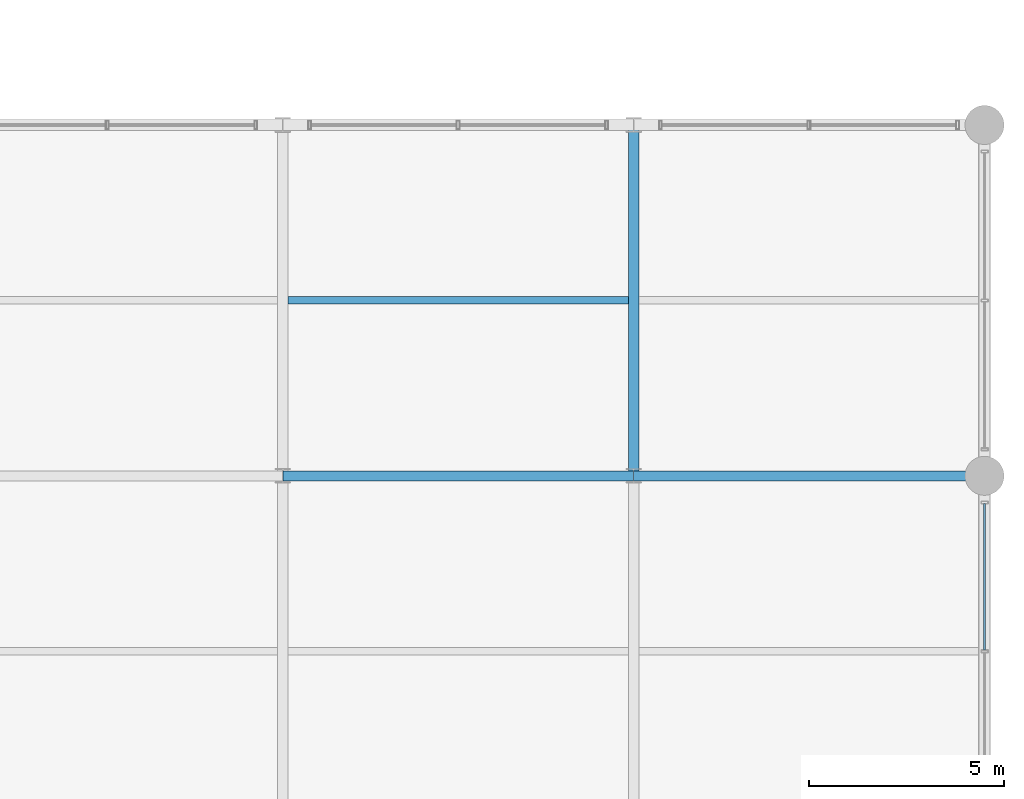
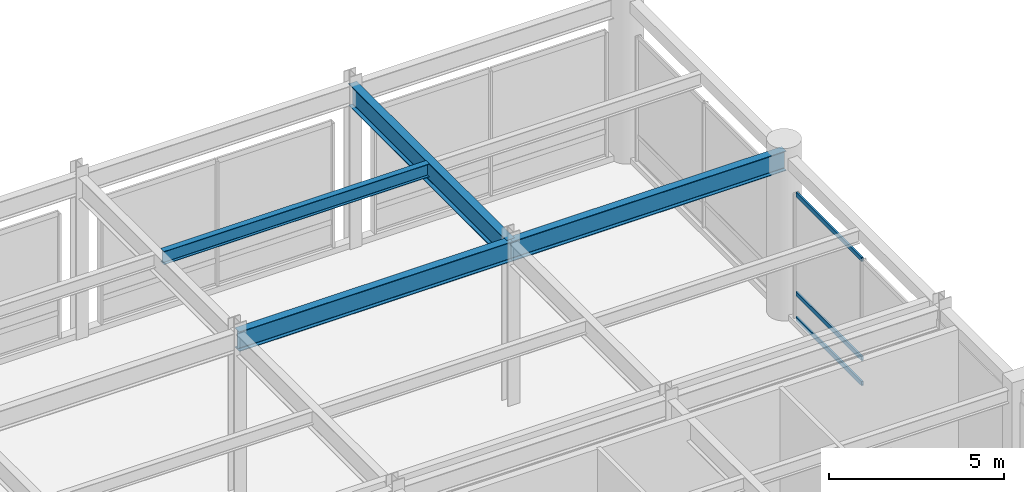
# One storey, part 57 of 108: 4 beams, 3 members, 1 element without a shape of its own.
"""IFC4 building model written with IfcOpenShell, lengths in metres."""

import ifcopenshell
import ifcopenshell.guid

model = None  # the IFC model being written
_history = None  # IfcOwnerHistory: only IFC2X3 demands one
_inside = {}  # id of a spatial element -> (the spatial element, [elements in it])
_under = {}  # id of a project, library or spatial element -> (it, [spatial elements below it])
_declared = {}  # id of a project -> (the project, [libraries it declares])
_typed = {}  # id of a type object -> (the type object, [elements of that type])
_made_of = {}  # id of a material, layer set ... -> (it, [elements and type objects made of it])


def new_model(schema):
    """Start an empty IFC model of exactly this schema.

    Asked for "IFC4X3", IfcOpenShell would pick the latest addendum, in which some entities
    have other attributes; the version numbers below select the first issue.
    IFC2X3 requires an IfcOwnerHistory on every rooted entity: one is made here for all.
    """
    global model, _history
    if schema == "IFC4X3":
        model = ifcopenshell.file(schema_version=(4, 3, 0, 0))
    else:
        model = ifcopenshell.file(schema=schema)
    _inside.clear()
    _under.clear()
    _declared.clear()
    _typed.clear()
    _made_of.clear()
    _history = None
    if model.schema == "IFC2X3":
        org = make("IfcOrganization", Name="unknown")
        user = make(
            "IfcPersonAndOrganization",
            ThePerson=make("IfcPerson", FamilyName="unknown"),
            TheOrganization=org,
        )
        app = make(
            "IfcApplication",
            ApplicationDeveloper=org,
            Version="unknown",
            ApplicationFullName="unknown",
            ApplicationIdentifier="unknown",
        )
        _history = make(
            "IfcOwnerHistory",
            OwningUser=user,
            OwningApplication=app,
            ChangeAction="ADDED",
            CreationDate=0,
        )
    return model


def make(cls, **values):
    """One entity of the class cls with the attributes given. An attribute that is None is left unset."""
    return model.create_entity(
        cls, **{name: value for name, value in values.items() if value is not None}
    )


def rooted(cls, **values):
    """An entity with a GlobalId (a new one), such as an element, a storey or a relation."""
    return make(cls, GlobalId=ifcopenshell.guid.new(), OwnerHistory=_history, **values)


def si_unit(unit_type, name, prefix=None):
    """IfcSIUnit, for example si_unit("LENGTHUNIT", "METRE", prefix="MILLI")."""
    return make("IfcSIUnit", UnitType=unit_type, Prefix=prefix, Name=name)


def assignment(units):
    """IfcUnitAssignment: the units of a project."""
    return None if units is None else make("IfcUnitAssignment", Units=units)


def point(xyz):
    """IfcCartesianPoint."""
    return None if xyz is None else make("IfcCartesianPoint", Coordinates=xyz)


def direction(xyz):
    """IfcDirection."""
    return None if xyz is None else make("IfcDirection", DirectionRatios=xyz)


def frame(location, z_axis=None, x_axis=None):
    """IfcAxis2Placement3D, a coordinate frame: its origin and axes. An axis left out is left unset."""
    return make(
        "IfcAxis2Placement3D",
        Location=point(location),
        Axis=direction(z_axis),
        RefDirection=direction(x_axis),
    )


def frame_2d(location, x_axis=None):
    """IfcAxis2Placement2D, a coordinate frame in the plane: its origin and x axis."""
    return make(
        "IfcAxis2Placement2D", Location=point(location), RefDirection=direction(x_axis)
    )


def origin():
    """The frame at (0, 0, 0) with its axes left unset."""
    return frame((0.0, 0.0, 0.0))


def origin_2d():
    """The frame at (0, 0) in the plane with its x axis left unset."""
    return frame_2d((0.0, 0.0))


def place(relative_to, where):
    """IfcLocalPlacement: puts the frame where relative to a parent placement (None: the world)."""
    return make(
        "IfcLocalPlacement", PlacementRelTo=relative_to, RelativePlacement=where
    )


def context(
    kind, dimensions, precision=None, world=None, true_north=None, identifier=None
):
    """IfcGeometricRepresentationContext, for example the 3D "Model" context."""
    return make(
        "IfcGeometricRepresentationContext",
        ContextIdentifier=identifier,
        ContextType=kind,
        CoordinateSpaceDimension=dimensions,
        Precision=precision,
        WorldCoordinateSystem=world,
        TrueNorth=true_north,
    )


def subcontext(parent, identifier, kind, view, scale=None):
    """IfcGeometricRepresentationSubContext, for example "Body" below "Model"."""
    return make(
        "IfcGeometricRepresentationSubContext",
        ContextIdentifier=identifier,
        ContextType=kind,
        ParentContext=parent,
        TargetScale=scale,
        TargetView=view,
    )


def project(units=None, contexts=None):
    """IfcProject with its units and contexts."""
    return rooted(
        "IfcProject",
        Name="project",
        RepresentationContexts=contexts,
        UnitsInContext=assignment(units),
    )


def spatial(cls, under=None, at=None, **own):
    """A site, building, storey or space (cls), placed at a placement, below another one or the project."""
    s = rooted(cls, ObjectPlacement=at, **own)
    if under is not None:
        _under.setdefault(under.id(), (under, []))[1].append(s)
    return s


def profile(cls, at=None, kind="AREA", **sizes):
    """A parametric profile (cls). Its sizes go by their IFC names, for example OverallWidth=200.0."""
    return make(cls, ProfileType=kind, Position=at, **sizes)


def hollow_rectangle(**sizes):
    """IfcRectangleHollowProfileDef."""
    return profile("IfcRectangleHollowProfileDef", **sizes)


def i_section(**sizes):
    """IfcIShapeProfileDef."""
    return profile("IfcIShapeProfileDef", **sizes)


def extrude(swept, where, along, depth):
    """IfcExtrudedAreaSolid: the profile swept, set in the frame where, extruded along a direction by depth."""
    return make(
        "IfcExtrudedAreaSolid",
        SweptArea=swept,
        Position=where,
        ExtrudedDirection=direction(along),
        Depth=depth,
    )


def shape(context_of_items, identifier, shape_type, items):
    """IfcShapeRepresentation: the items that make up one representation, for example the "Body"."""
    return make(
        "IfcShapeRepresentation",
        ContextOfItems=context_of_items,
        RepresentationIdentifier=identifier,
        RepresentationType=shape_type,
        Items=items,
    )


def material(Name=None, Category=None):
    """IfcMaterial."""
    return make("IfcMaterial", Name=Name, Category=Category)


def material_profile(
    of_material, cross_section, Name=None, Category=None, Priority=None
):
    """IfcMaterialProfile: a cross section and its material."""
    return make(
        "IfcMaterialProfile",
        Name=Name,
        Material=of_material,
        Profile=cross_section,
        Priority=Priority,
        Category=Category,
    )


def profile_set(profiles, Name=None, composite=None):
    """IfcMaterialProfileSet."""
    return make(
        "IfcMaterialProfileSet",
        Name=Name,
        MaterialProfiles=profiles,
        CompositeProfile=composite,
    )


def made_of(thing, what):
    """Note that an element or type object is made of a material, layer set ...; save() writes the relation."""
    if what is not None:
        _made_of.setdefault(what.id(), (what, []))[1].append(thing)
    return thing


def type_object(cls, material=None, **own):
    """A type object (cls), such as IfcWallType, which elements share."""
    return made_of(rooted(cls, **own), material)


def element(
    cls,
    number,
    at=None,
    inside=None,
    cuts=None,
    type_object=None,
    material=None,
    context=None,
    identifier="Body",
    shape_type=None,
    held_by="IfcProductDefinitionShape",
    body=None,
    shapes=None,
    **own,
):
    """One element of the class cls, such as IfcWall. Its Tag is "e" and its number.

    at: its placement. inside: the storey or other place that contains it. cuts: it is an
    opening in that element (IfcRelVoidsElement). A single representation is given by context,
    identifier, shape_type and body (its items); several are given by shapes. held_by: the class
    of the entity that holds the representations. save() writes the other relations.
    """
    e = rooted(cls, Tag="e%d" % number, ObjectPlacement=at, **own)
    if body is not None:
        shapes = [shape(context, identifier, shape_type, body)]
    if shapes is not None:
        e.Representation = make(held_by, Representations=shapes)
    if inside is not None:
        _inside.setdefault(inside.id(), (inside, []))[1].append(e)
    if cuts is not None:
        rooted(
            "IfcRelVoidsElement", RelatingBuildingElement=cuts, RelatedOpeningElement=e
        )
    if type_object is not None:
        _typed.setdefault(type_object.id(), (type_object, []))[1].append(e)
    return made_of(e, material)


def aggregate(whole, parts):
    """IfcRelAggregates: a whole, such as a stair, and the parts it consists of."""
    return rooted("IfcRelAggregates", RelatingObject=whole, RelatedObjects=parts)


def save(model, path):
    """Write the relations noted so far, then the file.

    IfcRelAggregates (storeys below a building ...), IfcRelContainedInSpatialStructure (elements
    in a storey), IfcRelDefinesByType, IfcRelAssociatesMaterial and IfcRelDeclares: one each for
    every whole, place, type object, material and project.
    """
    for whole, parts in _under.values():
        aggregate(whole, parts)
    for where, things in _inside.values():
        rooted(
            "IfcRelContainedInSpatialStructure",
            RelatedElements=things,
            RelatingStructure=where,
        )
    for kind, things in _typed.values():
        rooted("IfcRelDefinesByType", RelatedObjects=things, RelatingType=kind)
    for what, things in _made_of.values():
        rooted("IfcRelAssociatesMaterial", RelatedObjects=things, RelatingMaterial=what)
    for by, libraries in _declared.values():
        rooted("IfcRelDeclares", RelatingContext=by, RelatedDefinitions=libraries)
    model.write(path)


model = new_model("IFC4")

# Units and contexts
model_context = context("Model", 3, precision=1e-05, world=origin(), true_north=direction((0.0, 1.0)))
body_context = subcontext(model_context, "Body", "Model", "MODEL_VIEW")
ifc_project = project(units=[si_unit("LENGTHUNIT", "METRE"), si_unit("AREAUNIT", "SQUARE_METRE"), si_unit("VOLUMEUNIT", "CUBIC_METRE"), si_unit("PLANEANGLEUNIT", "RADIAN"), si_unit("MASSUNIT", "GRAM", prefix="KILO")], contexts=[model_context])

# Site, building, storey
site_placement = place(None, origin())
site = spatial("IfcSite", under=ifc_project, at=site_placement, CompositionType="ELEMENT")
building_placement = place(site_placement, origin())
building = spatial("IfcBuilding", under=site, at=building_placement, Name="Kaldorvane Square Convention Centre", CompositionType="ELEMENT")
storey_placement = place(building_placement, frame((0.0, 0.0, 12.0)))
storey = spatial("IfcBuildingStorey", under=building, at=storey_placement, Name="L02", CompositionType="ELEMENT", Elevation=12.0)

# Beams
ifc_material_1 = material(Name="Steel ASTM A992 Gr. 50", Category="steel")
ifc_material_profile_1 = material_profile(ifc_material_1, i_section(OverallWidth=0.25439453125, OverallDepth=0.6880950927734375, WebThickness=0.0131072998046875, FlangeThickness=0.0211029052734375, FilletRadius=0.01519775390625, at=origin_2d()), Name="W27X102")
ifc_profile_set_1 = profile_set([ifc_material_profile_1], Name="Steel ASTM A992 Gr. 50")
beam_type_1 = type_object("IfcBeamType", Name="BM-GR-W27X102", PredefinedType="BEAM", material=ifc_profile_set_1)
for number, where, z_axis, x_axis, name in (
    (1, (156.0, 27.0, 5.3018951416015625), (1.0, 0.0, 0.0), (0.0, 1.0, 0.0), "Primary Girder (L02)"),
    (2, (165.0, 27.0, 5.3018951416015625), (1.0, 0.0, 0.0), (0.0, 1.0, 0.0), "Primary Girder (L02)"),
):
    element("IfcBeam", number, at=place(storey_placement, frame(where, z_axis=z_axis, x_axis=x_axis)), inside=storey, type_object=beam_type_1, Name=name, PredefinedType="BEAM", context=body_context, shape_type="SweptSolid", body=[
        extrude(i_section(OverallWidth=0.25439453125, OverallDepth=0.6880950927734375, WebThickness=0.0131072998046875, FlangeThickness=0.0211029052734375, FilletRadius=0.01519775390625, at=origin_2d()), origin(), (0.0, 0.0, 1.0), 9.0),
    ])
ifc_material_profile_2 = material_profile(ifc_material_1, i_section(OverallWidth=0.2666015625, OverallDepth=0.762298583984375, WebThickness=0.014404296875, FlangeThickness=0.0216064453125, FilletRadius=0.0164947509765625, at=origin_2d()), Name="W30X116")
ifc_profile_set_2 = profile_set([ifc_material_profile_2], Name="Steel ASTM A992 Gr. 50")
beam_type_2 = type_object("IfcBeamType", Name="BM-GR-W30X116", PredefinedType="BEAM", material=ifc_profile_set_2)
beam_1_placement = place(storey_placement, frame((165.0, 27.0, 5.264801025390625), z_axis=(0.0, 1.0, 0.0), x_axis=(-1.0, 0.0, 0.0)))
element("IfcBeam", 3, at=beam_1_placement, inside=storey, type_object=beam_type_2, Name="Transverse Girder (L02)", PredefinedType="BEAM", context=body_context, shape_type="SweptSolid", body=[
    extrude(i_section(OverallWidth=0.2666015625, OverallDepth=0.762298583984375, WebThickness=0.014404296875, FlangeThickness=0.0216064453125, FilletRadius=0.0164947509765625, at=origin_2d()), origin(), (0.0, 0.0, 1.0), 9.0),
])
ifc_material_profile_3 = material_profile(ifc_material_1, i_section(OverallWidth=0.1912994384765625, OverallDepth=0.4600067138671875, WebThickness=0.0099029541015625, FlangeThickness=0.0160064697265625, FilletRadius=0.01019287109375, at=origin_2d()), Name="W18X55")
ifc_profile_set_3 = profile_set([ifc_material_profile_3], Name="Steel ASTM A992 Gr. 50")
beam_type_3 = type_object("IfcBeamType", Name="BM-JS-W18X55", PredefinedType="JOIST", material=ifc_profile_set_3)
beam_2_placement = place(storey_placement, frame((156.13330078125, 31.5, 5.4160003662109375), z_axis=(1.0, 0.0, 0.0), x_axis=(0.0, 1.0, 0.0)))
element("IfcBeam", 4, at=beam_2_placement, inside=storey, type_object=beam_type_3, Name="Secondary Floor Joist (L02)", PredefinedType="JOIST", context=body_context, shape_type="SweptSolid", body=[
    extrude(i_section(OverallWidth=0.1912994384765625, OverallDepth=0.4600067138671875, WebThickness=0.0099029541015625, FlangeThickness=0.0160064697265625, FilletRadius=0.01019287109375, at=origin_2d()), origin(), (0.0, 0.0, 1.0), 8.7333984375),
])

# Curtain wall, members
ifc_material_2 = material(Name="Anodized Aluminum and Low-E Insulated Glazing", Category="aluminium")
curtain_wall_type = type_object("IfcCurtainWallType", Name="CW-UNI-P60-09", PredefinedType="USERDEFINED", material=ifc_material_2)
curtain_wall_placement = place(storey_placement, origin())
curtain_wall = element("IfcCurtainWall", 5, at=curtain_wall_placement, inside=storey, type_object=curtain_wall_type, Name="Curtain Wall CW-02 (L02)", ObjectType="UNITISED GLAZING", PredefinedType="USERDEFINED")
ifc_material_profile_4 = material_profile(ifc_material_2, hollow_rectangle(XDim=0.05999755859375, YDim=0.149993896484375, WallThickness=0.003204345703125, at=origin_2d()), Name="CWT-150X60")
ifc_profile_set_4 = profile_set([ifc_material_profile_4], Name="Anodized Aluminum and Low-E Insulated Glazing")
member_type = type_object("IfcMemberType", Name="CW-TRN-150", PredefinedType="USERDEFINED", material=ifc_profile_set_4)
member_1_placement = place(storey_placement, frame((174.0, 22.532501220703125, 0.17999267578125), z_axis=(0.0, 1.0, 0.0), x_axis=(-1.0, 0.0, 0.0)))
member_1 = element("IfcMember", 6, at=member_1_placement, type_object=member_type, Name="CW-02 transom 2.1", ObjectType="TRANSOM", PredefinedType="USERDEFINED", context=body_context, shape_type="SweptSolid", body=[
    extrude(hollow_rectangle(XDim=0.05999755859375, YDim=0.149993896484375, WallThickness=0.003204345703125, at=origin_2d()), origin(), (0.0, 0.0, 1.0), 3.75250244140625),
])
member_2_placement = place(storey_placement, frame((174.0, 22.532501220703125, 1.0500030517578125), z_axis=(0.0, 1.0, 0.0), x_axis=(-1.0, 0.0, 0.0)))
member_2 = element("IfcMember", 7, at=member_2_placement, type_object=member_type, Name="CW-02 transom 2.2", ObjectType="TRANSOM", PredefinedType="USERDEFINED", context=body_context, shape_type="SweptSolid", body=[
    extrude(hollow_rectangle(XDim=0.05999755859375, YDim=0.149993896484375, WallThickness=0.003204345703125, at=origin_2d()), origin(), (0.0, 0.0, 1.0), 3.75250244140625),
])
member_3_placement = place(storey_placement, frame((174.0, 22.532501220703125, 4.5), z_axis=(0.0, 1.0, 0.0), x_axis=(-1.0, 0.0, 0.0)))
member_3 = element("IfcMember", 8, at=member_3_placement, type_object=member_type, Name="CW-02 transom 2.3", ObjectType="TRANSOM", PredefinedType="USERDEFINED", context=body_context, shape_type="SweptSolid", body=[
    extrude(hollow_rectangle(XDim=0.05999755859375, YDim=0.149993896484375, WallThickness=0.003204345703125, at=origin_2d()), origin(), (0.0, 0.0, 1.0), 3.75250244140625),
])
aggregate(curtain_wall, [member_1, member_2, member_3])

save(model, "model.ifc")
